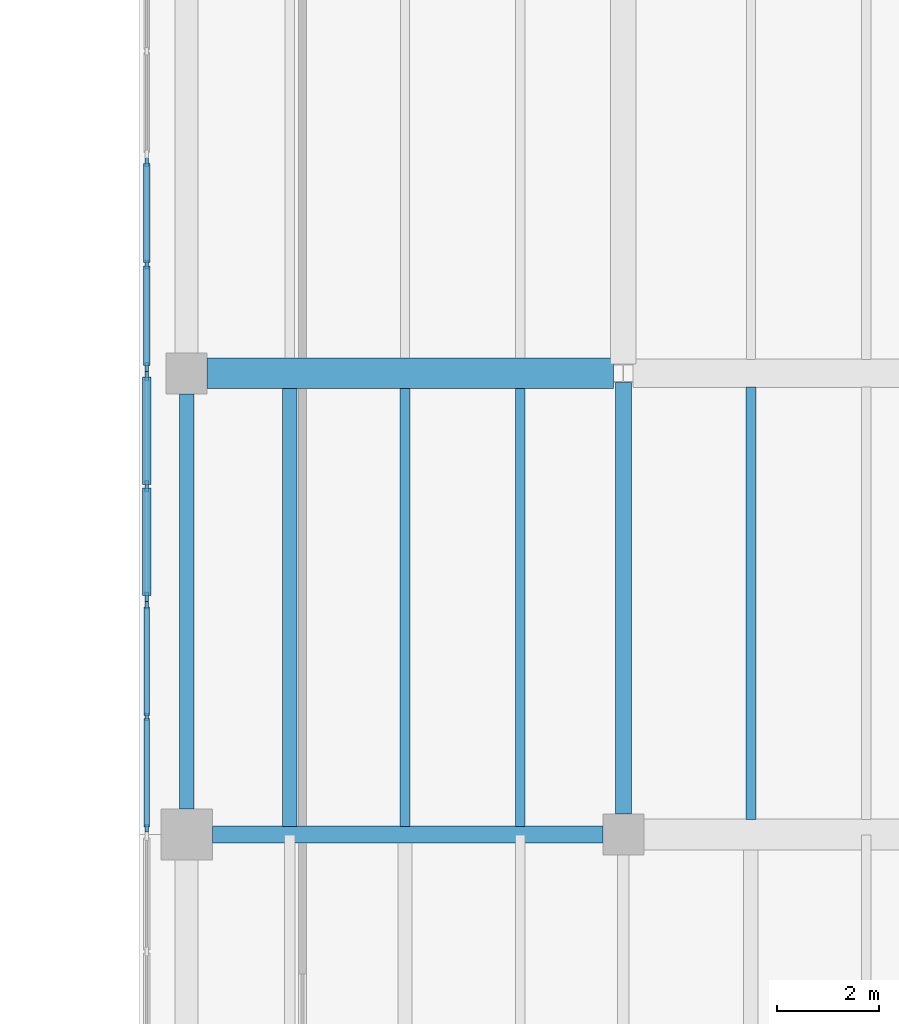
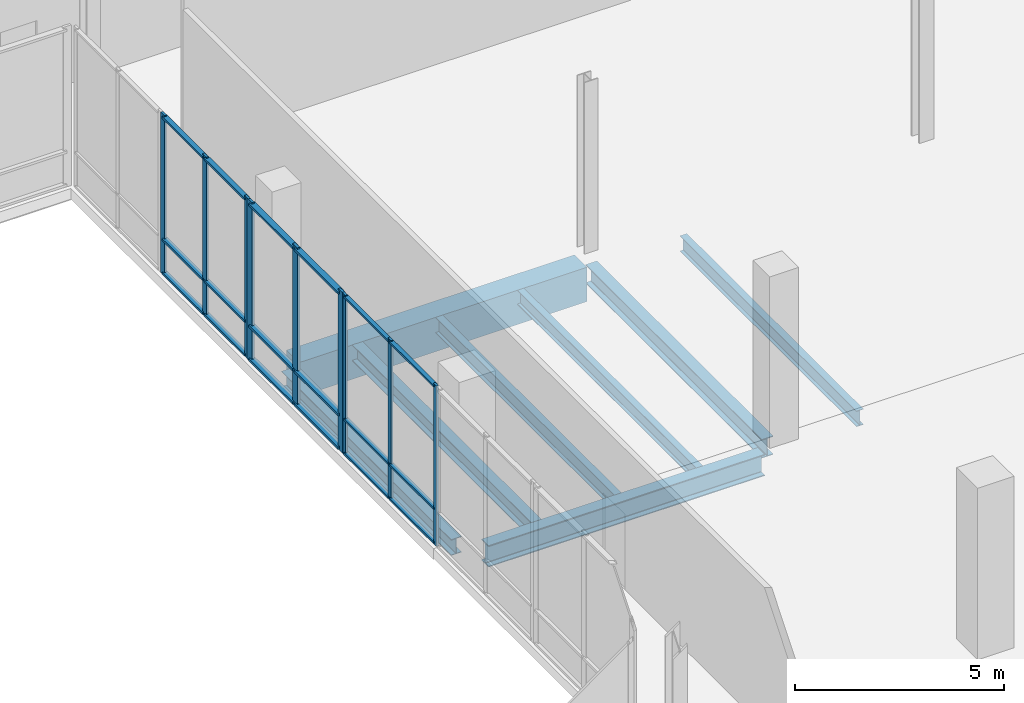
# One storey, part 46 of 81: 27 members, 8 beams, 3 elements without a shape of their own.
"""IFC4 building model written with IfcOpenShell, lengths in metres."""

from ifc_helpers import new_model, si_unit, direction, frame, origin, origin_2d, place, context, subcontext, project, spatial, rectangle, i_section, extrude, material, material_profile, profile_set, type_object, element, aggregate, save


model = new_model("IFC4")

# Units and contexts
model_context = context("Model", 3, precision=1e-05, world=origin(), true_north=direction((0.0, 1.0)))
body_context = subcontext(model_context, "Body", "Model", "MODEL_VIEW")
ifc_project = project(units=[si_unit("LENGTHUNIT", "METRE"), si_unit("AREAUNIT", "SQUARE_METRE"), si_unit("VOLUMEUNIT", "CUBIC_METRE"), si_unit("PLANEANGLEUNIT", "RADIAN"), si_unit("MASSUNIT", "GRAM", prefix="KILO")], contexts=[model_context])

# Site, building, storey
site_placement = place(None, origin())
site = spatial("IfcSite", under=ifc_project, at=site_placement, CompositionType="ELEMENT")
building_placement = place(site_placement, origin())
building = spatial("IfcBuilding", under=site, at=building_placement, Name="Trimount Lyric Opera House", CompositionType="ELEMENT")
storey_placement = place(building_placement, frame((0.0, 0.0, 5.0)))
storey = spatial("IfcBuildingStorey", under=building, at=storey_placement, Name="L01", CompositionType="ELEMENT", Elevation=5.0)

# Beams
ifc_material_1 = material(Name="Steel ASTM A992 Grade 50", Category="steel")
ifc_material_profile_1 = material_profile(ifc_material_1, i_section(OverallWidth=0.327880859375, OverallDepth=0.626953125, WebThickness=0.0166015625, FlangeThickness=0.027587890625, FilletRadius=0.01611328125, at=origin_2d()), Name="W24X146")
ifc_profile_set_1 = profile_set([ifc_material_profile_1], Name="Steel ASTM A992 Grade 50")
beam_type_1 = type_object("IfcBeamType", Name="B-10", PredefinedType="BEAM", material=ifc_profile_set_1)
beam_1_placement = place(storey_placement, frame((148.739990234375, 84.0, -0.62353515625), z_axis=(1.0, 0.0, 0.0), x_axis=(0.0, 1.0, 0.0)))
element("IfcBeam", 1, at=beam_1_placement, inside=storey, type_object=beam_type_1, Name="L01 girder X-0540", PredefinedType="BEAM", context=body_context, shape_type="SweptSolid", body=[
    extrude(i_section(OverallWidth=0.327880859375, OverallDepth=0.626953125, WebThickness=0.0166015625, FlangeThickness=0.027587890625, FilletRadius=0.01611328125, at=origin_2d()), origin(), (0.0, 0.0, 1.0), 7.6201171875),
])
ifc_material_2 = material(Name="Steel ASTM A992 Grade 50", Category="steel")
ifc_material_profile_2 = material_profile(ifc_material_2, i_section(OverallWidth=0.31201171875, OverallDepth=0.5458984375, WebThickness=0.013916015625, FlangeThickness=0.022216796875, FilletRadius=0.014892578125, at=origin_2d()), Name="W21X111")
ifc_profile_set_2 = profile_set([ifc_material_profile_2], Name="Steel ASTM A992 Grade 50")
beam_type_2 = type_object("IfcBeamType", Name="B-12", PredefinedType="BEAM", material=ifc_profile_set_2)
beam_2_placement = place(storey_placement, frame((156.760009765625, 84.39990234375, -0.5830078125), z_axis=(0.0, 1.0, 0.0), x_axis=(-1.0, 0.0, 0.0)))
element("IfcBeam", 2, at=beam_2_placement, inside=storey, type_object=beam_type_2, Name="L01 girder Y-0694", PredefinedType="BEAM", context=body_context, shape_type="SweptSolid", body=[
    extrude(i_section(OverallWidth=0.31201171875, OverallDepth=0.5458984375, WebThickness=0.013916015625, FlangeThickness=0.022216796875, FilletRadius=0.014892578125, at=origin_2d()), origin(), (0.0, 0.0, 1.0), 8.416015625),
])
ifc_material_3 = material(Name="Concrete C40/50", Category="concrete")
ifc_material_profile_3 = material_profile(ifc_material_3, rectangle(XDim=0.60009765625, YDim=1.0, at=origin_2d()), Name="RC600X1000")
ifc_profile_set_3 = profile_set([ifc_material_profile_3], Name="Concrete C40/50")
beam_type_3 = type_object("IfcBeamType", Name="B-13", PredefinedType="BEAM", material=ifc_profile_set_3)
beam_3_placement = place(storey_placement, frame((148.639892578125, 93.0, -0.81005859375), z_axis=(1.0, 0.0, 0.0), x_axis=(0.0, 1.0, 0.0)))
element("IfcBeam", 3, at=beam_3_placement, inside=storey, type_object=beam_type_3, Name="L01 girder X-0547", PredefinedType="BEAM", context=body_context, shape_type="SweptSolid", body=[
    extrude(rectangle(XDim=0.60009765625, YDim=1.0, at=origin_2d()), origin(), (0.0, 0.0, 1.0), 7.93359375),
])
ifc_material_4 = material(Name="Steel ASTM A992 Grade 50", Category="steel")
ifc_material_profile_4 = material_profile(ifc_material_4, i_section(OverallWidth=0.281982421875, OverallDepth=0.467041015625, WebThickness=0.01220703125, FlangeThickness=0.01953125, FilletRadius=0.012939453125, at=origin_2d()), Name="W18X86")
ifc_profile_set_4 = profile_set([ifc_material_profile_4], Name="Steel ASTM A992 Grade 50")
beam_type_4 = type_object("IfcBeamType", Name="J-03", PredefinedType="BEAM", material=ifc_profile_set_4)
beam_4_placement = place(storey_placement, frame((150.25, 84.159912109375, -0.54345703125), z_axis=(0.0, 1.0, 0.0), x_axis=(-1.0, 0.0, 0.0)))
element("IfcBeam", 4, at=beam_4_placement, inside=storey, type_object=beam_type_4, Name="L01 composite floor joist 0743", PredefinedType="BEAM", context=body_context, shape_type="SweptSolid", body=[
    extrude(i_section(OverallWidth=0.281982421875, OverallDepth=0.467041015625, WebThickness=0.01220703125, FlangeThickness=0.01953125, FilletRadius=0.012939453125, at=origin_2d()), origin(), (0.0, 0.0, 1.0), 8.544189453125),
])
ifc_material_5 = material(Name="Steel ASTM A992 Grade 50", Category="steel")
ifc_material_profile_5 = material_profile(ifc_material_5, i_section(OverallWidth=0.19091796875, OverallDepth=0.45703125, WebThickness=0.009033203125, FlangeThickness=0.014404296875, FilletRadius=0.010986328125, at=origin_2d()), Name="W18X50")
ifc_profile_set_5 = profile_set([ifc_material_profile_5], Name="Steel ASTM A992 Grade 50")
beam_type_5 = type_object("IfcBeamType", Name="J-04", PredefinedType="BEAM", material=ifc_profile_set_5)
beam_5_placement = place(storey_placement, frame((152.5, 84.159912109375, -0.53857421875), z_axis=(0.0, 1.0, 0.0), x_axis=(-1.0, 0.0, 0.0)))
element("IfcBeam", 5, at=beam_5_placement, inside=storey, type_object=beam_type_5, Name="L01 composite floor joist 0744", PredefinedType="BEAM", context=body_context, shape_type="SweptSolid", body=[
    extrude(i_section(OverallWidth=0.19091796875, OverallDepth=0.45703125, WebThickness=0.009033203125, FlangeThickness=0.014404296875, FilletRadius=0.010986328125, at=origin_2d()), origin(), (0.0, 0.0, 1.0), 8.544189453125),
])
beam_6_placement = place(storey_placement, frame((159.25, 84.2958984375, -0.53857421875), z_axis=(0.0, 1.0, 0.0), x_axis=(-1.0, 0.0, 0.0)))
element("IfcBeam", 6, at=beam_6_placement, inside=storey, type_object=beam_type_5, Name="L01 composite floor joist 0767", PredefinedType="BEAM", context=body_context, shape_type="SweptSolid", body=[
    extrude(i_section(OverallWidth=0.19091796875, OverallDepth=0.45703125, WebThickness=0.009033203125, FlangeThickness=0.014404296875, FilletRadius=0.010986328125, at=origin_2d()), origin(), (0.0, 0.0, 1.0), 8.43310546875),
])
ifc_material_6 = material(Name="Steel ASTM A992 Grade 50", Category="steel")
ifc_material_profile_6 = material_profile(ifc_material_6, i_section(OverallWidth=0.180908203125, OverallDepth=0.4169921875, WebThickness=0.010986328125, FlangeThickness=0.018310546875, FilletRadius=0.010986328125, at=origin_2d()), Name="W16X57")
ifc_profile_set_6 = profile_set([ifc_material_profile_6], Name="Steel ASTM A992 Grade 50")
beam_type_6 = type_object("IfcBeamType", Name="J-05", PredefinedType="BEAM", material=ifc_profile_set_6)
beam_7_placement = place(storey_placement, frame((154.75, 84.159912109375, -0.5185546875), z_axis=(0.0, 1.0, 0.0), x_axis=(-1.0, 0.0, 0.0)))
element("IfcBeam", 7, at=beam_7_placement, inside=storey, type_object=beam_type_6, Name="L01 composite floor joist 0745", PredefinedType="BEAM", context=body_context, shape_type="SweptSolid", body=[
    extrude(i_section(OverallWidth=0.180908203125, OverallDepth=0.4169921875, WebThickness=0.010986328125, FlangeThickness=0.018310546875, FilletRadius=0.010986328125, at=origin_2d()), origin(), (0.0, 0.0, 1.0), 8.544189453125),
])

# Curtain wall, members
ifc_material_7 = material(Name="Thermally Broken Aluminium and Low-E Glass", Category="aluminium")
curtain_wall_type = type_object("IfcCurtainWallType", Name="CW-03", PredefinedType="NOTDEFINED", material=ifc_material_7)
curtain_wall_1_placement = place(storey_placement, origin())
curtain_wall_1 = element("IfcCurtainWall", 8, at=curtain_wall_1_placement, inside=storey, type_object=curtain_wall_type, Name="L01 curtain wall 129", PredefinedType="NOTDEFINED")
ifc_material_8 = material(Name="Anodised Aluminium 6063-T6", Category="aluminium")
ifc_material_profile_7 = material_profile(ifc_material_8, rectangle(XDim=0.070068359375, YDim=0.219970703125, at=origin_2d()), Name="ALU-MULL-70X220")
ifc_profile_set_7 = profile_set([ifc_material_profile_7], Name="Anodised Aluminium 6063-T6")
member_type_1 = type_object("IfcMemberType", Name="ML-01", PredefinedType="MULLION", material=ifc_profile_set_7)
member_1_placement = place(storey_placement, frame((147.4599609375, 88.625, 0.0), z_axis=(0.0, 0.0, 1.0), x_axis=(-1.0, 0.0, 0.0)))
member_1 = element("IfcMember", 9, at=member_1_placement, type_object=member_type_1, Name="CW-03 mullion 1", PredefinedType="MULLION", context=body_context, shape_type="SweptSolid", body=[
    extrude(rectangle(XDim=0.070068359375, YDim=0.219970703125, at=origin_2d()), origin(), (0.0, 0.0, 1.0), 4.679931640625),
])
member_2_placement = place(storey_placement, frame((147.4599609375, 90.794921875, 0.0), z_axis=(0.0, 0.0, 1.0), x_axis=(-1.0, 0.0, 0.0)))
member_2 = element("IfcMember", 10, at=member_2_placement, type_object=member_type_1, Name="CW-03 mullion 2", PredefinedType="MULLION", context=body_context, shape_type="SweptSolid", body=[
    extrude(rectangle(XDim=0.070068359375, YDim=0.219970703125, at=origin_2d()), origin(), (0.0, 0.0, 1.0), 4.679931640625),
])
member_3_placement = place(storey_placement, frame((147.4599609375, 92.965087890625, 0.0), z_axis=(0.0, 0.0, 1.0), x_axis=(-1.0, 0.0, 0.0)))
member_3 = element("IfcMember", 11, at=member_3_placement, type_object=member_type_1, Name="CW-03 mullion 3", PredefinedType="MULLION", context=body_context, shape_type="SweptSolid", body=[
    extrude(rectangle(XDim=0.070068359375, YDim=0.219970703125, at=origin_2d()), origin(), (0.0, 0.0, 1.0), 4.679931640625),
])

curtain_wall_2_placement = place(storey_placement, origin())
curtain_wall_2 = element("IfcCurtainWall", 12, at=curtain_wall_2_placement, inside=storey, type_object=curtain_wall_type, Name="L01 curtain wall 130", PredefinedType="NOTDEFINED")
ifc_material_9 = material(Name="Anodised Aluminium 6063-T6", Category="aluminium")
ifc_material_profile_8 = material_profile(ifc_material_9, rectangle(XDim=0.06494140625, YDim=0.179931640625, at=origin_2d()), Name="ALU-MULL-65X180")
ifc_profile_set_8 = profile_set([ifc_material_profile_8], Name="Anodised Aluminium 6063-T6")
member_type_2 = type_object("IfcMemberType", Name="ML-02", PredefinedType="MULLION", material=ifc_profile_set_8)
member_4_placement = place(storey_placement, frame((147.4599609375, 93.12255859375, 0.0), z_axis=(0.0, 0.0, 1.0), x_axis=(-1.0, 0.0, 0.0)))
member_4 = element("IfcMember", 13, at=member_4_placement, type_object=member_type_2, Name="CW-03 mullion 1", PredefinedType="MULLION", context=body_context, shape_type="SweptSolid", body=[
    extrude(rectangle(XDim=0.06494140625, YDim=0.179931640625, at=origin_2d()), origin(), (0.0, 0.0, 1.0), 4.679931640625),
])
member_5_placement = place(storey_placement, frame((147.4599609375, 95.125, 0.0), z_axis=(0.0, 0.0, 1.0), x_axis=(-1.0, 0.0, 0.0)))
member_5 = element("IfcMember", 14, at=member_5_placement, type_object=member_type_2, Name="CW-03 mullion 2", PredefinedType="MULLION", context=body_context, shape_type="SweptSolid", body=[
    extrude(rectangle(XDim=0.06494140625, YDim=0.179931640625, at=origin_2d()), origin(), (0.0, 0.0, 1.0), 4.679931640625),
])
member_6_placement = place(storey_placement, frame((147.4599609375, 97.12744140625, 0.0), z_axis=(0.0, 0.0, 1.0), x_axis=(-1.0, 0.0, 0.0)))
member_6 = element("IfcMember", 15, at=member_6_placement, type_object=member_type_2, Name="CW-03 mullion 3", PredefinedType="MULLION", context=body_context, shape_type="SweptSolid", body=[
    extrude(rectangle(XDim=0.06494140625, YDim=0.179931640625, at=origin_2d()), origin(), (0.0, 0.0, 1.0), 4.679931640625),
])

curtain_wall_3_placement = place(storey_placement, origin())
curtain_wall_3 = element("IfcCurtainWall", 16, at=curtain_wall_3_placement, inside=storey, type_object=curtain_wall_type, Name="L01 curtain wall 128", PredefinedType="NOTDEFINED")
ifc_material_10 = material(Name="Anodised Aluminium 6063-T6", Category="aluminium")
ifc_material_profile_9 = material_profile(ifc_material_10, rectangle(XDim=0.06005859375, YDim=0.14990234375, at=origin_2d()), Name="ALU-MULL-60X150")
ifc_profile_set_9 = profile_set([ifc_material_profile_9], Name="Anodised Aluminium 6063-T6")
member_type_3 = type_object("IfcMemberType", Name="ML-03", PredefinedType="MULLION", material=ifc_profile_set_9)
member_7_placement = place(storey_placement, frame((147.4599609375, 84.1201171875, 0.0), z_axis=(0.0, 0.0, 1.0), x_axis=(-1.0, 0.0, 0.0)))
member_7 = element("IfcMember", 17, at=member_7_placement, type_object=member_type_3, Name="CW-03 mullion 1", PredefinedType="MULLION", context=body_context, shape_type="SweptSolid", body=[
    extrude(rectangle(XDim=0.06005859375, YDim=0.14990234375, at=origin_2d()), origin(), (0.0, 0.0, 1.0), 4.679931640625),
])
member_8_placement = place(storey_placement, frame((147.4599609375, 86.294921875, 0.0), z_axis=(0.0, 0.0, 1.0), x_axis=(-1.0, 0.0, 0.0)))
member_8 = element("IfcMember", 18, at=member_8_placement, type_object=member_type_3, Name="CW-03 mullion 2", PredefinedType="MULLION", context=body_context, shape_type="SweptSolid", body=[
    extrude(rectangle(XDim=0.06005859375, YDim=0.14990234375, at=origin_2d()), origin(), (0.0, 0.0, 1.0), 4.679931640625),
])
member_9_placement = place(storey_placement, frame((147.4599609375, 88.469970703125, 0.0), z_axis=(0.0, 0.0, 1.0), x_axis=(-1.0, 0.0, 0.0)))
member_9 = element("IfcMember", 19, at=member_9_placement, type_object=member_type_3, Name="CW-03 mullion 3", PredefinedType="MULLION", context=body_context, shape_type="SweptSolid", body=[
    extrude(rectangle(XDim=0.06005859375, YDim=0.14990234375, at=origin_2d()), origin(), (0.0, 0.0, 1.0), 4.679931640625),
])

# Beam
ifc_material_11 = material(Name="Steel ASTM A992 Grade 50", Category="steel")
ifc_material_profile_10 = material_profile(ifc_material_11, i_section(OverallWidth=0.281982421875, OverallDepth=0.467041015625, WebThickness=0.01220703125, FlangeThickness=0.01953125, FilletRadius=0.012939453125, at=origin_2d()), Name="W18X86")
ifc_profile_set_10 = profile_set([ifc_material_profile_10], Name="Steel ASTM A992 Grade 50")
beam_type_7 = type_object("IfcBeamType", Name="SP-01", PredefinedType="SPANDREL", material=ifc_profile_set_10)
beam_8_placement = place(storey_placement, frame((148.239990234375, 84.5, -0.54345703125), z_axis=(0.0, 1.0, 0.0), x_axis=(-1.0, 0.0, 0.0)))
element("IfcBeam", 20, at=beam_8_placement, inside=storey, type_object=beam_type_7, Name="L01 girder Y-0687", PredefinedType="SPANDREL", context=body_context, shape_type="SweptSolid", body=[
    extrude(i_section(OverallWidth=0.281982421875, OverallDepth=0.467041015625, WebThickness=0.01220703125, FlangeThickness=0.01953125, FilletRadius=0.012939453125, at=origin_2d()), origin(), (0.0, 0.0, 1.0), 8.10009765625),
])

# Member
ifc_material_12 = material(Name="Anodised Aluminium 6063-T6", Category="aluminium")
ifc_material_profile_11 = material_profile(ifc_material_12, rectangle(XDim=0.159912109375, YDim=0.070068359375, at=origin_2d()), Name="ALU-TRAN-70X160")
ifc_profile_set_11 = profile_set([ifc_material_profile_11], Name="Anodised Aluminium 6063-T6")
member_type_4 = type_object("IfcMemberType", Name="TR-01", PredefinedType="USERDEFINED", material=ifc_profile_set_11)
member_10_placement = place(storey_placement, frame((147.4599609375, 88.659912109375, 0.080078125), z_axis=(0.0, 1.0, 0.0), x_axis=(-1.0, 0.0, 0.0)))
member_10 = element("IfcMember", 21, at=member_10_placement, type_object=member_type_4, Name="CW-03 transom 1.1", ObjectType="TRANSOM", PredefinedType="USERDEFINED", context=body_context, shape_type="SweptSolid", body=[
    extrude(rectangle(XDim=0.159912109375, YDim=0.070068359375, at=origin_2d()), origin(), (0.0, 0.0, 1.0), 2.10009765625),
])

member_11_placement = place(storey_placement, frame((147.4599609375, 88.659912109375, 1.050048828125), z_axis=(0.0, 1.0, 0.0), x_axis=(-1.0, 0.0, 0.0)))
member_11 = element("IfcMember", 22, at=member_11_placement, type_object=member_type_4, Name="CW-03 transom 1.2", ObjectType="TRANSOM", PredefinedType="USERDEFINED", context=body_context, shape_type="SweptSolid", body=[
    extrude(rectangle(XDim=0.159912109375, YDim=0.070068359375, at=origin_2d()), origin(), (0.0, 0.0, 1.0), 2.10009765625),
])

member_12_placement = place(storey_placement, frame((147.4599609375, 88.659912109375, 4.60009765625), z_axis=(0.0, 1.0, 0.0), x_axis=(-1.0, 0.0, 0.0)))
member_12 = element("IfcMember", 23, at=member_12_placement, type_object=member_type_4, Name="CW-03 transom 1.3", ObjectType="TRANSOM", PredefinedType="USERDEFINED", context=body_context, shape_type="SweptSolid", body=[
    extrude(rectangle(XDim=0.159912109375, YDim=0.070068359375, at=origin_2d()), origin(), (0.0, 0.0, 1.0), 2.10009765625),
])

member_13_placement = place(storey_placement, frame((147.4599609375, 90.830078125, 0.080078125), z_axis=(0.0, 1.0, 0.0), x_axis=(-1.0, 0.0, 0.0)))
member_13 = element("IfcMember", 24, at=member_13_placement, type_object=member_type_4, Name="CW-03 transom 2.1", ObjectType="TRANSOM", PredefinedType="USERDEFINED", context=body_context, shape_type="SweptSolid", body=[
    extrude(rectangle(XDim=0.159912109375, YDim=0.070068359375, at=origin_2d()), origin(), (0.0, 0.0, 1.0), 2.099853515625),
])

member_14_placement = place(storey_placement, frame((147.4599609375, 90.830078125, 1.050048828125), z_axis=(0.0, 1.0, 0.0), x_axis=(-1.0, 0.0, 0.0)))
member_14 = element("IfcMember", 25, at=member_14_placement, type_object=member_type_4, Name="CW-03 transom 2.2", ObjectType="TRANSOM", PredefinedType="USERDEFINED", context=body_context, shape_type="SweptSolid", body=[
    extrude(rectangle(XDim=0.159912109375, YDim=0.070068359375, at=origin_2d()), origin(), (0.0, 0.0, 1.0), 2.099853515625),
])

member_15_placement = place(storey_placement, frame((147.4599609375, 90.830078125, 4.60009765625), z_axis=(0.0, 1.0, 0.0), x_axis=(-1.0, 0.0, 0.0)))
member_15 = element("IfcMember", 26, at=member_15_placement, type_object=member_type_4, Name="CW-03 transom 2.3", ObjectType="TRANSOM", PredefinedType="USERDEFINED", context=body_context, shape_type="SweptSolid", body=[
    extrude(rectangle(XDim=0.159912109375, YDim=0.070068359375, at=origin_2d()), origin(), (0.0, 0.0, 1.0), 2.099853515625),
])

aggregate(curtain_wall_1, [member_1, member_2, member_3, member_10, member_11, member_12, member_13, member_14, member_15])

ifc_material_13 = material(Name="Anodised Aluminium 6063-T6", Category="aluminium")
ifc_material_profile_12 = material_profile(ifc_material_13, rectangle(XDim=0.135009765625, YDim=0.06494140625, at=origin_2d()), Name="ALU-TRAN-65X135")
ifc_profile_set_12 = profile_set([ifc_material_profile_12], Name="Anodised Aluminium 6063-T6")
member_type_5 = type_object("IfcMemberType", Name="TR-02", PredefinedType="USERDEFINED", material=ifc_profile_set_12)
member_16_placement = place(storey_placement, frame((147.4599609375, 93.155029296875, 0.0673828125), z_axis=(0.0, 1.0, 0.0), x_axis=(-1.0, 0.0, 0.0)))
member_16 = element("IfcMember", 27, at=member_16_placement, type_object=member_type_5, Name="CW-03 transom 1.1", ObjectType="TRANSOM", PredefinedType="USERDEFINED", context=body_context, shape_type="SweptSolid", body=[
    extrude(rectangle(XDim=0.135009765625, YDim=0.06494140625, at=origin_2d()), origin(), (0.0, 0.0, 1.0), 1.9375),
])

member_17_placement = place(storey_placement, frame((147.4599609375, 93.155029296875, 1.050048828125), z_axis=(0.0, 1.0, 0.0), x_axis=(-1.0, 0.0, 0.0)))
member_17 = element("IfcMember", 28, at=member_17_placement, type_object=member_type_5, Name="CW-03 transom 1.2", ObjectType="TRANSOM", PredefinedType="USERDEFINED", context=body_context, shape_type="SweptSolid", body=[
    extrude(rectangle(XDim=0.135009765625, YDim=0.06494140625, at=origin_2d()), origin(), (0.0, 0.0, 1.0), 1.9375),
])

member_18_placement = place(storey_placement, frame((147.4599609375, 93.155029296875, 4.612548828125), z_axis=(0.0, 1.0, 0.0), x_axis=(-1.0, 0.0, 0.0)))
member_18 = element("IfcMember", 29, at=member_18_placement, type_object=member_type_5, Name="CW-03 transom 1.3", ObjectType="TRANSOM", PredefinedType="USERDEFINED", context=body_context, shape_type="SweptSolid", body=[
    extrude(rectangle(XDim=0.135009765625, YDim=0.06494140625, at=origin_2d()), origin(), (0.0, 0.0, 1.0), 1.9375),
])

member_19_placement = place(storey_placement, frame((147.4599609375, 95.157470703125, 0.0673828125), z_axis=(0.0, 1.0, 0.0), x_axis=(-1.0, 0.0, 0.0)))
member_19 = element("IfcMember", 30, at=member_19_placement, type_object=member_type_5, Name="CW-03 transom 2.1", ObjectType="TRANSOM", PredefinedType="USERDEFINED", context=body_context, shape_type="SweptSolid", body=[
    extrude(rectangle(XDim=0.135009765625, YDim=0.06494140625, at=origin_2d()), origin(), (0.0, 0.0, 1.0), 1.9375),
])

member_20_placement = place(storey_placement, frame((147.4599609375, 95.157470703125, 1.050048828125), z_axis=(0.0, 1.0, 0.0), x_axis=(-1.0, 0.0, 0.0)))
member_20 = element("IfcMember", 31, at=member_20_placement, type_object=member_type_5, Name="CW-03 transom 2.2", ObjectType="TRANSOM", PredefinedType="USERDEFINED", context=body_context, shape_type="SweptSolid", body=[
    extrude(rectangle(XDim=0.135009765625, YDim=0.06494140625, at=origin_2d()), origin(), (0.0, 0.0, 1.0), 1.9375),
])

member_21_placement = place(storey_placement, frame((147.4599609375, 95.157470703125, 4.612548828125), z_axis=(0.0, 1.0, 0.0), x_axis=(-1.0, 0.0, 0.0)))
member_21 = element("IfcMember", 32, at=member_21_placement, type_object=member_type_5, Name="CW-03 transom 2.3", ObjectType="TRANSOM", PredefinedType="USERDEFINED", context=body_context, shape_type="SweptSolid", body=[
    extrude(rectangle(XDim=0.135009765625, YDim=0.06494140625, at=origin_2d()), origin(), (0.0, 0.0, 1.0), 1.9375),
])

aggregate(curtain_wall_2, [member_4, member_5, member_6, member_16, member_17, member_18, member_19, member_20, member_21])

ifc_material_14 = material(Name="Anodised Aluminium 6063-T6", Category="aluminium")
ifc_material_profile_13 = material_profile(ifc_material_14, rectangle(XDim=0.114990234375, YDim=0.06005859375, at=origin_2d()), Name="ALU-TRAN-60X115")
ifc_profile_set_13 = profile_set([ifc_material_profile_13], Name="Anodised Aluminium 6063-T6")
member_type_6 = type_object("IfcMemberType", Name="TR-03", PredefinedType="USERDEFINED", material=ifc_profile_set_13)
member_22_placement = place(storey_placement, frame((147.4599609375, 84.14990234375, 0.0576171875), z_axis=(0.0, 1.0, 0.0), x_axis=(-1.0, 0.0, 0.0)))
member_22 = element("IfcMember", 33, at=member_22_placement, type_object=member_type_6, Name="CW-03 transom 1.1", ObjectType="TRANSOM", PredefinedType="USERDEFINED", context=body_context, shape_type="SweptSolid", body=[
    extrude(rectangle(XDim=0.114990234375, YDim=0.06005859375, at=origin_2d()), origin(), (0.0, 0.0, 1.0), 2.114990234375),
])

member_23_placement = place(storey_placement, frame((147.4599609375, 84.14990234375, 1.050048828125), z_axis=(0.0, 1.0, 0.0), x_axis=(-1.0, 0.0, 0.0)))
member_23 = element("IfcMember", 34, at=member_23_placement, type_object=member_type_6, Name="CW-03 transom 1.2", ObjectType="TRANSOM", PredefinedType="USERDEFINED", context=body_context, shape_type="SweptSolid", body=[
    extrude(rectangle(XDim=0.114990234375, YDim=0.06005859375, at=origin_2d()), origin(), (0.0, 0.0, 1.0), 2.114990234375),
])

member_24_placement = place(storey_placement, frame((147.4599609375, 84.14990234375, 4.62255859375), z_axis=(0.0, 1.0, 0.0), x_axis=(-1.0, 0.0, 0.0)))
member_24 = element("IfcMember", 35, at=member_24_placement, type_object=member_type_6, Name="CW-03 transom 1.3", ObjectType="TRANSOM", PredefinedType="USERDEFINED", context=body_context, shape_type="SweptSolid", body=[
    extrude(rectangle(XDim=0.114990234375, YDim=0.06005859375, at=origin_2d()), origin(), (0.0, 0.0, 1.0), 2.114990234375),
])

member_25_placement = place(storey_placement, frame((147.4599609375, 86.324951171875, 0.0576171875), z_axis=(0.0, 1.0, 0.0), x_axis=(-1.0, 0.0, 0.0)))
member_25 = element("IfcMember", 36, at=member_25_placement, type_object=member_type_6, Name="CW-03 transom 2.1", ObjectType="TRANSOM", PredefinedType="USERDEFINED", context=body_context, shape_type="SweptSolid", body=[
    extrude(rectangle(XDim=0.114990234375, YDim=0.06005859375, at=origin_2d()), origin(), (0.0, 0.0, 1.0), 2.114990234375),
])

member_26_placement = place(storey_placement, frame((147.4599609375, 86.324951171875, 1.050048828125), z_axis=(0.0, 1.0, 0.0), x_axis=(-1.0, 0.0, 0.0)))
member_26 = element("IfcMember", 37, at=member_26_placement, type_object=member_type_6, Name="CW-03 transom 2.2", ObjectType="TRANSOM", PredefinedType="USERDEFINED", context=body_context, shape_type="SweptSolid", body=[
    extrude(rectangle(XDim=0.114990234375, YDim=0.06005859375, at=origin_2d()), origin(), (0.0, 0.0, 1.0), 2.114990234375),
])

member_27_placement = place(storey_placement, frame((147.4599609375, 86.324951171875, 4.62255859375), z_axis=(0.0, 1.0, 0.0), x_axis=(-1.0, 0.0, 0.0)))
member_27 = element("IfcMember", 38, at=member_27_placement, type_object=member_type_6, Name="CW-03 transom 2.3", ObjectType="TRANSOM", PredefinedType="USERDEFINED", context=body_context, shape_type="SweptSolid", body=[
    extrude(rectangle(XDim=0.114990234375, YDim=0.06005859375, at=origin_2d()), origin(), (0.0, 0.0, 1.0), 2.114990234375),
])

aggregate(curtain_wall_3, [member_7, member_8, member_9, member_22, member_23, member_24, member_25, member_26, member_27])

save(model, "model.ifc")
